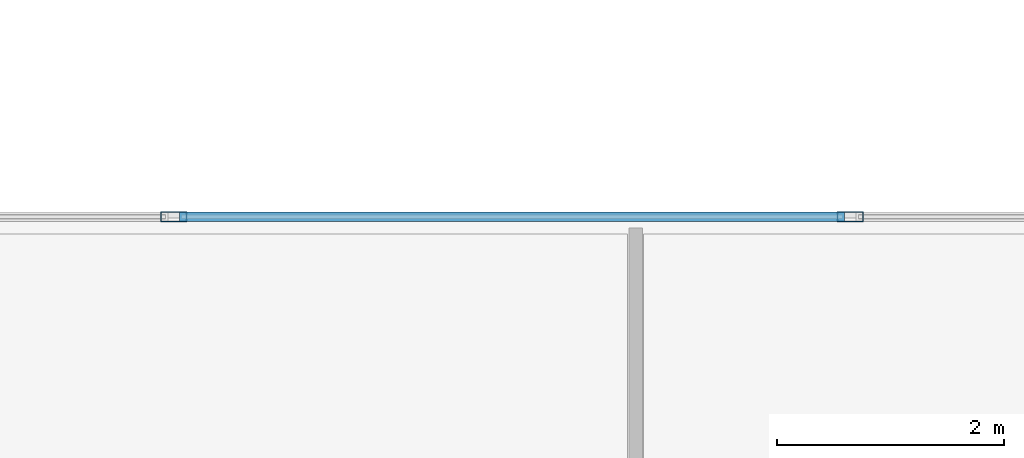
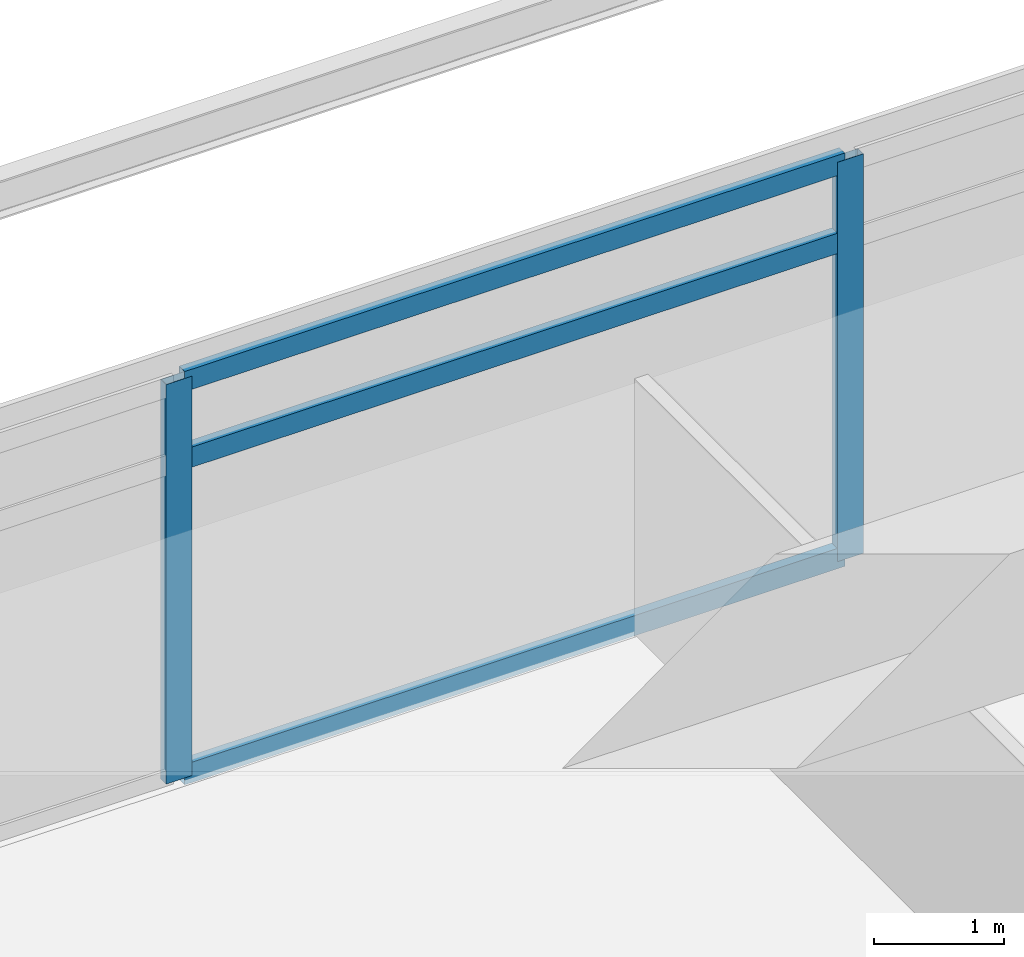
# One storey, part 9 of 21: 5 members, 1 element without a shape of its own.
"""IFC4 building model written with IfcOpenShell, lengths in metres."""

from ifc_helpers import new_model, si_unit, direction, frame, origin, origin_2d, place, context, subcontext, project, spatial, hollow_rectangle, extrude, material, material_profile, profile_set, type_object, element, aggregate, save


model = new_model("IFC4")

# Units and contexts
model_context = context("Model", 3, precision=1e-05, world=origin(), true_north=direction((0.0, 1.0)))
body_context = subcontext(model_context, "Body", "Model", "MODEL_VIEW")
ifc_project = project(units=[si_unit("LENGTHUNIT", "METRE"), si_unit("AREAUNIT", "SQUARE_METRE"), si_unit("VOLUMEUNIT", "CUBIC_METRE"), si_unit("PLANEANGLEUNIT", "RADIAN"), si_unit("MASSUNIT", "GRAM", prefix="KILO")], contexts=[model_context])

# Site, building, storey
site_placement = place(None, origin())
site = spatial("IfcSite", under=ifc_project, at=site_placement, CompositionType="ELEMENT")
building_placement = place(site_placement, origin())
building = spatial("IfcBuilding", under=site, at=building_placement, Name="Kovane Verandah Tower", CompositionType="ELEMENT")
storey_placement = place(building_placement, frame((0.0, 0.0, 314.800048828125)))
storey = spatial("IfcBuildingStorey", under=building, at=storey_placement, Name="L73", CompositionType="ELEMENT", Elevation=314.800048828125)

# Curtain wall, members
ifc_material_1 = material(Name="Champagne Anodised Aluminium Frame with Low-E Clear Laminated Glass", Category="aluminium")
curtain_wall_type = type_object("IfcCurtainWallType", Name="CW-SYS-05-HIGH", PredefinedType="NOTDEFINED", material=ifc_material_1)
curtain_wall_placement = place(storey_placement, origin())
curtain_wall = element("IfcCurtainWall", 1, at=curtain_wall_placement, inside=storey, type_object=curtain_wall_type, Name="L73 N Unitised Curtain Wall", PredefinedType="NOTDEFINED")
ifc_material_2 = material(Name="Champagne Anodised Aluminium 6063-T6", Category="aluminium")
ifc_material_profile_1 = material_profile(ifc_material_2, hollow_rectangle(XDim=0.0849609375, YDim=0.22998046875, WallThickness=0.00390625, at=origin_2d()), Name="AL85x230x4")
ifc_profile_set_1 = profile_set([ifc_material_profile_1], Name="Champagne Anodised Aluminium 6063-T6")
member_type_1 = type_object("IfcMemberType", Name="CW-MUL-85x230", PredefinedType="MULLION", material=ifc_profile_set_1)
member_1_placement = place(storey_placement, frame((42.9765625, 49.018310546875, 0.02001953125), z_axis=(0.0, 0.0, 1.0), x_axis=(0.0, 1.0, 0.0)))
member_1 = element("IfcMember", 2, at=member_1_placement, type_object=member_type_1, Name="L73 N Unitised Curtain Wall Mullion 4", PredefinedType="MULLION", context=body_context, shape_type="SweptSolid", body=[
    extrude(hollow_rectangle(XDim=0.0849609375, YDim=0.22998046875, WallThickness=0.00390625, at=origin_2d()), origin(), (0.0, 0.0, 1.0), 3.744873046875),
])
member_2_placement = place(storey_placement, frame((37.0234375, 49.018310546875, 0.02001953125), z_axis=(0.0, 0.0, 1.0), x_axis=(0.0, 1.0, 0.0)))
member_2 = element("IfcMember", 3, at=member_2_placement, type_object=member_type_1, Name="L73 N Unitised Curtain Wall Mullion 5", PredefinedType="MULLION", context=body_context, shape_type="SweptSolid", body=[
    extrude(hollow_rectangle(XDim=0.0849609375, YDim=0.22998046875, WallThickness=0.00390625, at=origin_2d()), origin(), (0.0, 0.0, 1.0), 3.744873046875),
])
ifc_material_profile_2 = material_profile(ifc_material_2, hollow_rectangle(XDim=0.0849609375, YDim=0.18994140625, WallThickness=0.00390625, at=origin_2d()), Name="AL85x190x4")
ifc_profile_set_2 = profile_set([ifc_material_profile_2], Name="Champagne Anodised Aluminium 6063-T6")
member_type_2 = type_object("IfcMemberType", Name="CW-TRN-85x190", PredefinedType="USERDEFINED", material=ifc_profile_set_2)
member_3_placement = place(storey_placement, frame((42.926513671875, 49.018310546875, 0.050048828125), z_axis=(-1.0, 0.0, 0.0), x_axis=(0.0, -1.0, 0.0)))
member_3 = element("IfcMember", 4, at=member_3_placement, type_object=member_type_2, Name="L73 N Unitised Curtain Wall Transom TB Bay 4", ObjectType="TRANSOM", PredefinedType="USERDEFINED", context=body_context, shape_type="SweptSolid", body=[
    extrude(hollow_rectangle(XDim=0.0849609375, YDim=0.18994140625, WallThickness=0.00390625, at=origin_2d()), origin(), (0.0, 0.0, 1.0), 5.85302734375),
])
member_4_placement = place(storey_placement, frame((42.926513671875, 49.018310546875, 3.0048828125), z_axis=(-1.0, 0.0, 0.0), x_axis=(0.0, -1.0, 0.0)))
member_4 = element("IfcMember", 5, at=member_4_placement, type_object=member_type_2, Name="L73 N Unitised Curtain Wall Transom TM Bay 4", ObjectType="TRANSOM", PredefinedType="USERDEFINED", context=body_context, shape_type="SweptSolid", body=[
    extrude(hollow_rectangle(XDim=0.0849609375, YDim=0.18994140625, WallThickness=0.00390625, at=origin_2d()), origin(), (0.0, 0.0, 1.0), 5.85302734375),
])
member_5_placement = place(storey_placement, frame((42.926513671875, 49.018310546875, 3.73486328125), z_axis=(-1.0, 0.0, 0.0), x_axis=(0.0, -1.0, 0.0)))
member_5 = element("IfcMember", 6, at=member_5_placement, type_object=member_type_2, Name="L73 N Unitised Curtain Wall Transom TT Bay 4", ObjectType="TRANSOM", PredefinedType="USERDEFINED", context=body_context, shape_type="SweptSolid", body=[
    extrude(hollow_rectangle(XDim=0.0849609375, YDim=0.18994140625, WallThickness=0.00390625, at=origin_2d()), origin(), (0.0, 0.0, 1.0), 5.85302734375),
])
aggregate(curtain_wall, [member_1, member_2, member_3, member_4, member_5])

save(model, "model.ifc")
